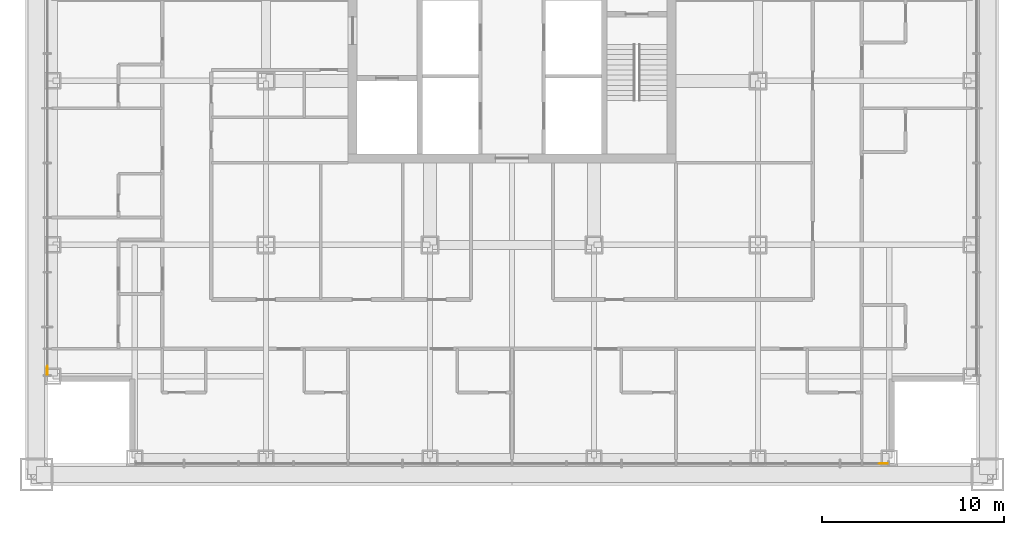
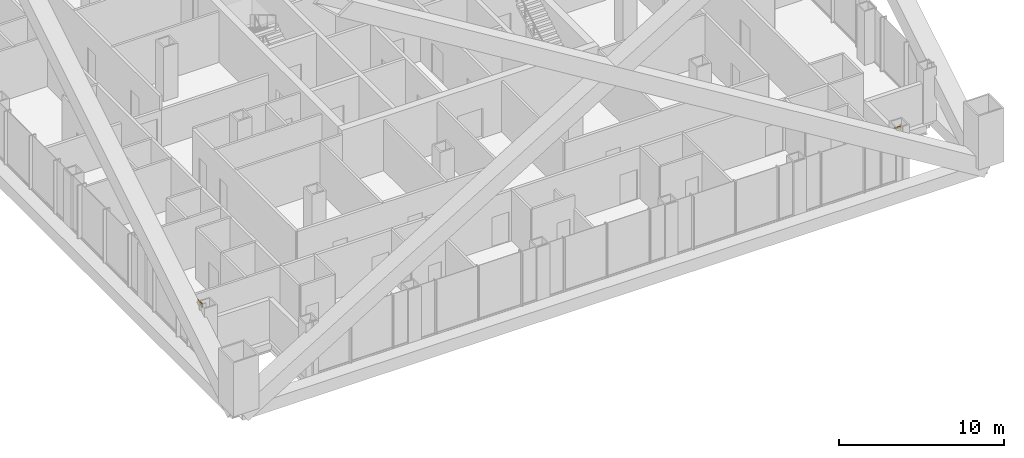
# One storey, part 18 of 21: 2 coverings.
"""IFC4 building model written with IfcOpenShell, lengths in metres."""

from ifc_helpers import new_model, si_unit, direction, frame, origin, place, context, subcontext, project, spatial, polyline, outline, extrude, material, layer, layer_set, type_object, element, save


model = new_model("IFC4")

# Units and contexts
model_context = context("Model", 3, precision=1e-05, world=origin(), true_north=direction((0.0, 1.0)))
body_context = subcontext(model_context, "Body", "Model", "MODEL_VIEW")
ifc_project = project(units=[si_unit("LENGTHUNIT", "METRE"), si_unit("AREAUNIT", "SQUARE_METRE"), si_unit("VOLUMEUNIT", "CUBIC_METRE"), si_unit("PLANEANGLEUNIT", "RADIAN"), si_unit("MASSUNIT", "GRAM", prefix="KILO")], contexts=[model_context])

# Site, building, storey
site_placement = place(None, origin())
site = spatial("IfcSite", under=ifc_project, at=site_placement, CompositionType="ELEMENT")
building_placement = place(site_placement, origin())
building = spatial("IfcBuilding", under=site, at=building_placement, Name="Malebo Sky Hospital", CompositionType="ELEMENT")
storey_placement = place(building_placement, frame((0.0, 0.0, 63.0)))
storey = spatial("IfcBuildingStorey", under=building, at=storey_placement, Name="L14", CompositionType="ELEMENT", Elevation=63.0)

# Coverings
ifc_material = material(Name="Anodised aluminium, natural silver insulated infill panel", Category="aluminium")
ifc_layer = layer(ifc_material, 0.0400390625)
ifc_layer_set = layer_set([ifc_layer], Name="BRACE INFILL PANEL 40")
covering_type = type_object("IfcCoveringType", Name="BRACE INFILL PANEL 40", PredefinedType="CLADDING", material=ifc_layer_set)
for number, where, z_axis, x_axis, name in (
    (1, (34.5, 41.61962890625, 3.690185546875), (0.0, 0.0, 1.0), (0.0, 1.0, 0.0), "Brace infill panel 1.1"),
    (2, (80.38037109375, 36.5, 3.690185546875), (0.0, 0.0, 1.0), (-1.0, 0.0, 0.0), "Brace infill panel 1.1"),
):
    element("IfcCovering", number, at=place(storey_placement, frame(where, z_axis=z_axis, x_axis=x_axis)), inside=storey, type_object=covering_type, Name=name, PredefinedType="CLADDING", context=body_context, shape_type="SweptSolid", body=[
        extrude(outline(polyline([(-0.24462890625, 0.0), (0.244384765625, 0.2998046875), (-0.24462890625, 0.2998046875), (-0.24462890625, 0.0)])), frame((0.0, 0.02001953125, 0.0), z_axis=(0.0, -1.0, 0.0), x_axis=(1.0, 0.0, 0.0)), (0.0, 0.0, 1.0), 0.0400390625),
    ])

save(model, "model.ifc")
